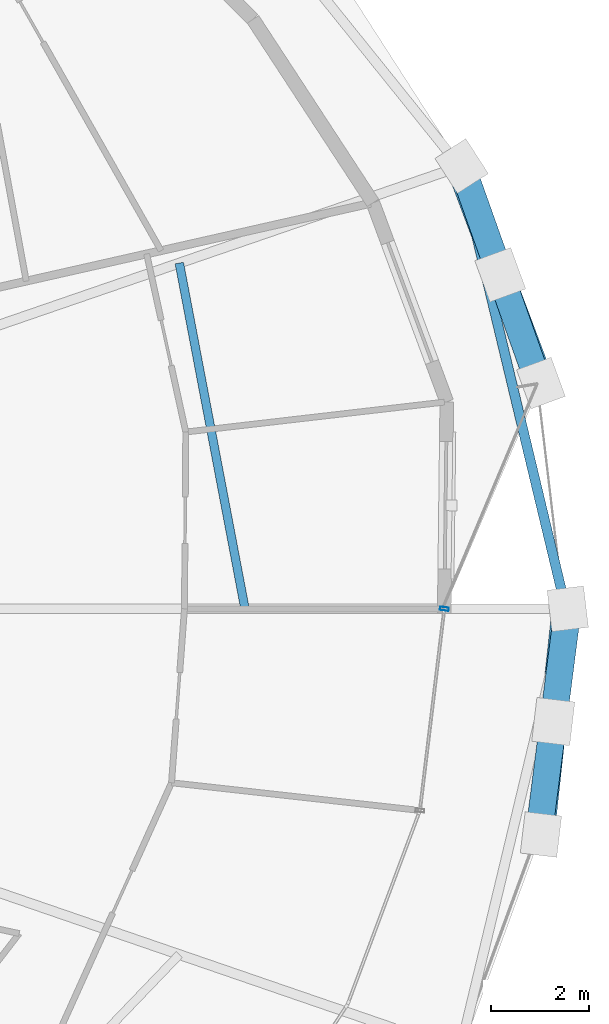
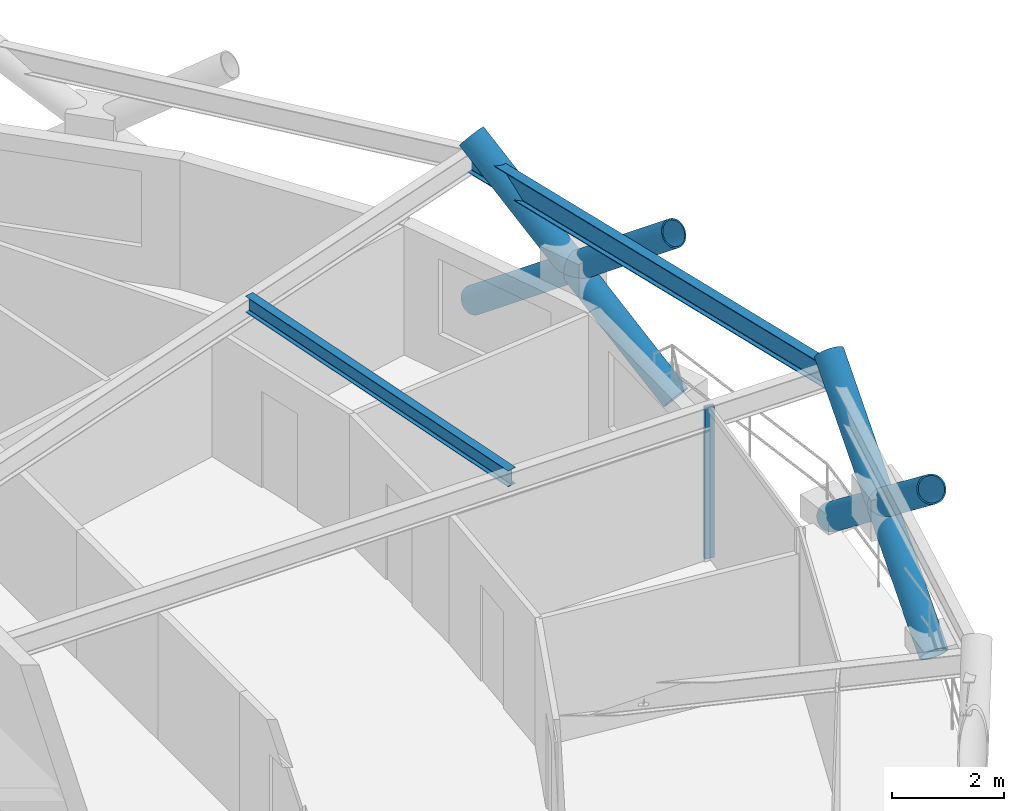
# One storey, part 11 of 21: 7 members, 2 beams, 1 element without a shape of its own.
"""IFC4 building model written with IfcOpenShell, lengths in metres."""

from ifc_helpers import new_model, si_unit, direction, frame, origin, origin_2d, place, context, subcontext, project, spatial, hollow_rectangle, hollow_circle, i_section, extrude, material, layer, layer_set, material_profile, profile_set, type_object, element, aggregate, save


model = new_model("IFC4")

# Units and contexts
model_context = context("Model", 3, precision=1e-05, world=origin(), true_north=direction((0.0, 1.0)))
body_context = subcontext(model_context, "Body", "Model", "MODEL_VIEW")
ifc_project = project(units=[si_unit("LENGTHUNIT", "METRE"), si_unit("AREAUNIT", "SQUARE_METRE"), si_unit("VOLUMEUNIT", "CUBIC_METRE"), si_unit("PLANEANGLEUNIT", "RADIAN"), si_unit("MASSUNIT", "GRAM", prefix="KILO")], contexts=[model_context])

# Site, building, storey
site_placement = place(None, origin())
site = spatial("IfcSite", under=ifc_project, at=site_placement, CompositionType="ELEMENT")
building_placement = place(site_placement, origin())
building = spatial("IfcBuilding", under=site, at=building_placement, Name="Veldorina Hangang Commons", CompositionType="ELEMENT")
storey_placement = place(building_placement, frame((0.0, 0.0, 138.800048828125)))
storey = spatial("IfcBuildingStorey", under=building, at=storey_placement, Name="L35", CompositionType="ELEMENT", Elevation=138.800048828125)

# Beams
ifc_material_1 = material(Name="Steel SM355-TMC", Category="steel")
ifc_material_profile_1 = material_profile(ifc_material_1, i_section(OverallWidth=0.175048828125, OverallDepth=0.35009765625, WebThickness=0.007080078125, FlangeThickness=0.010986328125, FilletRadius=0.012939453125, at=origin_2d()), Name="H-350x175x7x11")
ifc_profile_set_1 = profile_set([ifc_material_profile_1], Name="Steel SM355-TMC")
beam_type_1 = type_object("IfcBeamType", Name="BM-JST350", PredefinedType="JOIST", material=ifc_profile_set_1)
beam_1_placement = place(storey_placement, frame((53.869140625, 24.0, 3.175048828125), z_axis=(-0.186671795617, 0.982422333175, 0.0), x_axis=(-0.982422333175, -0.186671795617, 0.0)))
element("IfcBeam", 1, at=beam_1_placement, inside=storey, type_object=beam_type_1, Name="L35 secondary floor joist 01", PredefinedType="JOIST", context=body_context, shape_type="SweptSolid", body=[
    extrude(i_section(OverallWidth=0.175048828125, OverallDepth=0.35009765625, WebThickness=0.007080078125, FlangeThickness=0.010986328125, FilletRadius=0.012939453125, at=origin_2d()), origin(), (0.0, 0.0, 1.0), 7.185302734375),
])
ifc_material_2 = material(Name="Steel SM420-TMC", Category="steel")
ifc_material_profile_2 = material_profile(ifc_material_2, i_section(OverallWidth=0.199951171875, OverallDepth=0.5, WebThickness=0.010009765625, FlangeThickness=0.01611328125, FilletRadius=0.01611328125, at=origin_2d()), Name="H-500x200x10x16")
ifc_profile_set_2 = profile_set([ifc_material_profile_2], Name="Steel SM420-TMC")
beam_type_2 = type_object("IfcBeamType", Name="BM-RB500", PredefinedType="BEAM", material=ifc_profile_set_2)
beam_2_placement = place(storey_placement, frame((60.420654296875, 24.0, 3.099853515625), z_axis=(-0.232996019854, 0.972477688552, 0.0), x_axis=(-0.972477688552, -0.232996019854, 0.0)))
element("IfcBeam", 2, at=beam_2_placement, inside=storey, type_object=beam_type_2, Name="L35 perimeter hoop ring beam 00", PredefinedType="BEAM", context=body_context, shape_type="SweptSolid", body=[
    extrude(i_section(OverallWidth=0.199951171875, OverallDepth=0.5, WebThickness=0.010009765625, FlangeThickness=0.01611328125, FilletRadius=0.01611328125, at=origin_2d()), origin(), (0.0, 0.0, 1.0), 9.284912109375),
])

# Curtain wall, member
ifc_material_3 = material(Name="Glass Low-E Triple IGU", Category="glass")
ifc_layer = layer(ifc_material_3, 0.179931640625)
ifc_layer_set = layer_set([ifc_layer], Name="Glass Low-E Triple IGU")
curtain_wall_type = type_object("IfcCurtainWallType", Name="CW-SYS-Z2", PredefinedType="NOTDEFINED", material=ifc_layer_set)
curtain_wall_placement = place(storey_placement, origin())
curtain_wall = element("IfcCurtainWall", 3, at=curtain_wall_placement, inside=storey, type_object=curtain_wall_type, Name="L35 unitised curtain wall CW-L35-R2", PredefinedType="NOTDEFINED")
ifc_material_4 = material(Name="Aluminium Anodized AA6063-T6", Category="aluminium")
ifc_material_profile_3 = material_profile(ifc_material_4, hollow_rectangle(XDim=0.070068359375, YDim=0.179931640625, WallThickness=0.00390625, at=origin_2d()), Name="ALU-RHS-180x70x4")
ifc_profile_set_3 = profile_set([ifc_material_profile_3], Name="Aluminium Anodized AA6063-T6")
member_type_1 = type_object("IfcMemberType", Name="CW-MUL-180", PredefinedType="MULLION", material=ifc_profile_set_3)
member_1_placement = place(storey_placement, frame((57.938232421875, 24.0, 0.0), z_axis=(0.0, 0.0, 1.0), x_axis=(-0.120188819323, -0.992751050218, 0.0)))
member_1 = element("IfcMember", 4, at=member_1_placement, type_object=member_type_1, Name="CW-L35-R2 vertical mullion 4", PredefinedType="MULLION", context=body_context, shape_type="SweptSolid", body=[
    extrude(hollow_rectangle(XDim=0.070068359375, YDim=0.179931640625, WallThickness=0.00390625, at=origin_2d()), origin(), (0.0, 0.0, 1.0), 3.31005859375),
])
aggregate(curtain_wall, [member_1])

# Members
ifc_material_profile_4 = material_profile(ifc_material_2, hollow_circle(Radius=0.27490234375, WallThickness=0.028076171875, at=origin_2d()), Name="CHS-550x28")
ifc_profile_set_4 = profile_set([ifc_material_profile_4], Name="Steel SM420-TMC")
member_type_2 = type_object("IfcMemberType", Name="DG-CHS550", PredefinedType="BRACE", material=ifc_profile_set_4)
member_2_placement = place(storey_placement, frame((59.91162109375, 28.608154296875, 0.0), z_axis=(-0.279596899154, 0.744412864903, 0.606362152966), x_axis=(-0.93614627689, -0.351610790883, 0.0)))
element("IfcMember", 5, at=member_2_placement, inside=storey, type_object=member_type_2, Name="L35 continuous perimeter diagrid brace 01", PredefinedType="BRACE", context=body_context, shape_type="SweptSolid", body=[
    extrude(hollow_circle(Radius=0.27490234375, WallThickness=0.028076171875, at=origin_2d()), origin(), (0.0, 0.0, 1.0), 5.936767578125),
])
member_3_placement = place(storey_placement, frame((58.2919921875, 33.039306640625, 0.0), z_axis=(0.266061532807, -0.748545024076, 0.60736447681), x_axis=(0.942249574665, 0.334911539131, 0.0)))
element("IfcMember", 6, at=member_3_placement, inside=storey, type_object=member_type_2, Name="L35 split perimeter diagrid lower brace 02", PredefinedType="BRACE", context=body_context, shape_type="SweptSolid", body=[
    extrude(hollow_circle(Radius=0.27490234375, WallThickness=0.028076171875, at=origin_2d()), origin(), (0.0, 0.0, 1.0), 2.9658203125),
])
member_4_placement = place(storey_placement, frame((59.0810546875, 30.8193359375, 1.80126953125), z_axis=(0.265945473616, -0.748620844981, 0.607321854969), x_axis=(0.942306366451, 0.33475171657, 0.0)))
element("IfcMember", 7, at=member_4_placement, inside=storey, type_object=member_type_2, Name="L35 split perimeter diagrid upper brace 02", PredefinedType="BRACE", context=body_context, shape_type="SweptSolid", body=[
    extrude(hollow_circle(Radius=0.27490234375, WallThickness=0.028076171875, at=origin_2d()), origin(), (0.0, 0.0, 1.0), 2.96142578125),
])
member_5_placement = place(storey_placement, frame((59.91162109375, 19.391845703125, 0.0), z_axis=(0.085690319345, 0.78514795031, 0.613351339196), x_axis=(-0.994097013699, 0.108494826396, 0.0)))
element("IfcMember", 8, at=member_5_placement, inside=storey, type_object=member_type_2, Name="L35 continuous perimeter diagrid brace 31", PredefinedType="BRACE", context=body_context, shape_type="SweptSolid", body=[
    extrude(hollow_circle(Radius=0.27490234375, WallThickness=0.028076171875, at=origin_2d()), origin(), (0.0, 0.0, 1.0), 5.869140625),
])
member_6_placement = place(storey_placement, frame((60.458251953125, 24.0, 0.0), z_axis=(-0.100457312175, -0.783633507959, 0.613047187119), x_axis=(0.991883025206, -0.127153703475, 0.0)))
element("IfcMember", 9, at=member_6_placement, inside=storey, type_object=member_type_2, Name="L35 split perimeter diagrid lower brace 00", PredefinedType="BRACE", context=body_context, shape_type="SweptSolid", body=[
    extrude(hollow_circle(Radius=0.27490234375, WallThickness=0.028076171875, at=origin_2d()), origin(), (0.0, 0.0, 1.0), 2.938232421875),
])
member_7_placement = place(storey_placement, frame((60.1630859375, 21.697509765625, 1.80126953125), z_axis=(-0.100338638542, -0.783739614481, 0.612930970264), x_axis=(0.991904125411, -0.126988999495, 0.0)))
element("IfcMember", 10, at=member_7_placement, inside=storey, type_object=member_type_2, Name="L35 split perimeter diagrid upper brace 00", PredefinedType="BRACE", context=body_context, shape_type="SweptSolid", body=[
    extrude(hollow_circle(Radius=0.27490234375, WallThickness=0.028076171875, at=origin_2d()), origin(), (0.0, 0.0, 1.0), 2.934326171875),
])

save(model, "model.ifc")
